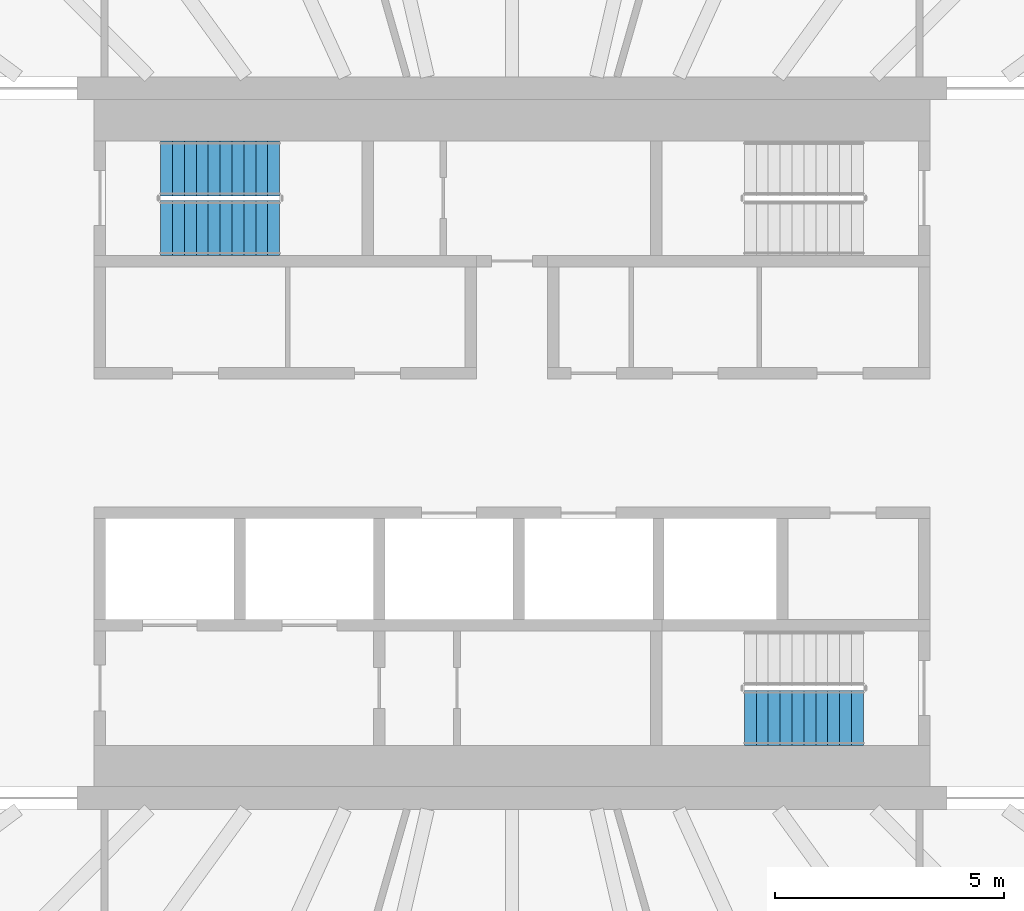
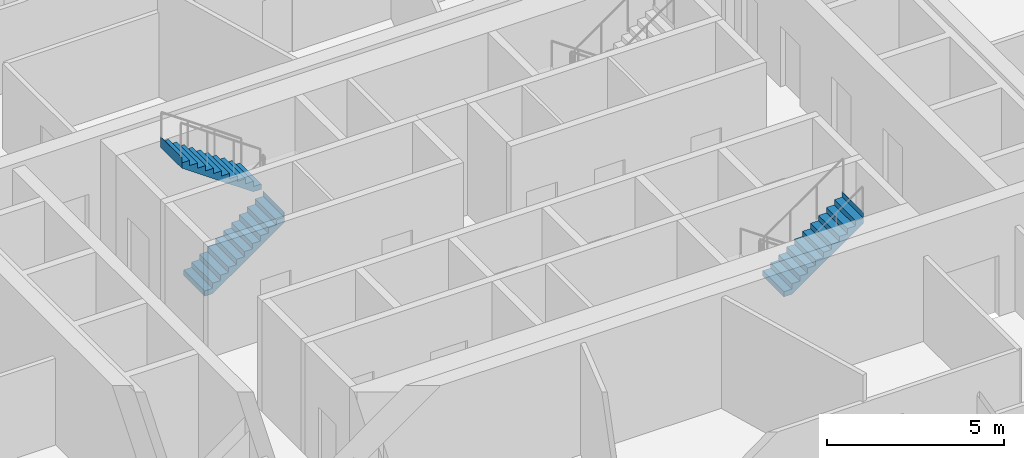
# One storey, part 16 of 23: 3 stair flights, 2 elements without a shape of their own.
"""IFC4 building model written with IfcOpenShell, lengths in metres."""

from ifc_helpers import new_model, si_unit, direction, frame, origin, place, context, subcontext, project, spatial, triangles, material, type_object, element, aggregate, save


model = new_model("IFC4")

# Units and contexts
model_context = context("Model", 3, precision=1e-05, world=origin(), true_north=direction((0.0, 1.0)))
body_context = subcontext(model_context, "Body", "Model", "MODEL_VIEW")
ifc_project = project(units=[si_unit("LENGTHUNIT", "METRE"), si_unit("AREAUNIT", "SQUARE_METRE"), si_unit("VOLUMEUNIT", "CUBIC_METRE"), si_unit("PLANEANGLEUNIT", "RADIAN"), si_unit("MASSUNIT", "GRAM", prefix="KILO")], contexts=[model_context])

# Site, building, storey
site_placement = place(None, origin())
site = spatial("IfcSite", under=ifc_project, at=site_placement, CompositionType="ELEMENT")
building_placement = place(site_placement, origin())
building = spatial("IfcBuilding", under=site, at=building_placement, Name="Sahrelin Media Tower", CompositionType="ELEMENT")
storey_placement = place(building_placement, frame((0.0, 0.0, 157.60009765625)))
storey = spatial("IfcBuildingStorey", under=building, at=storey_placement, Name="L32", CompositionType="ELEMENT", Elevation=157.60009765625)

# Stair, stair flights
ifc_material = material(Name="Concrete C40/50", Category="concrete")
stair_type = type_object("IfcStairType", Name="Exit stair 1200", PredefinedType="HALF_TURN_STAIR", material=ifc_material)
placement = place(storey_placement, origin())
stair_1 = element("IfcStair", 1, at=placement, inside=storey, type_object=stair_type, Name="L32 Exit stair ST1", PredefinedType="HALF_TURN_STAIR")
stair_flight_type = type_object("IfcStairFlightType", Name="Stair flight 1200", PredefinedType="STRAIGHT", material=ifc_material)
stair_flight_1_placement = place(storey_placement, frame((-7.675048828125, 4.699951171875, 0.0), z_axis=(0.0, 0.0, 1.0), x_axis=(1.0, 0.0, 0.0)))
stair_flight_1 = element("IfcStairFlight", 2, at=stair_flight_1_placement, type_object=stair_flight_type, Name="ST1 flight 1", NumberOfRisers=11, NumberOfTreads=10, PredefinedType="STRAIGHT", RiserHeight=0.181818182, TreadLength=0.26, context=body_context, shape_type="Tessellation", body=[
    triangles([(0.261474609375, 0.60009765625, 0.0), (0.261474609375, 0.300048828125, 0.0), (0.261474609375, 0.0, 0.0), (0.261474609375, -0.300048828125, 0.0), (0.261474609375, -0.60009765625, 0.0), (2.60009765625, 0.60009765625, 1.63525390625), (2.60009765625, 0.300048828125, 1.63525390625), (2.60009765625, 0.0, 1.63525390625), (2.60009765625, -0.300048828125, 1.63525390625), (2.60009765625, -0.60009765625, 1.63525390625), (2.60009765625, 0.60009765625, 2.0), (2.60009765625, 0.300048828125, 2.0), (2.60009765625, 0.0, 2.0), (2.60009765625, -0.300048828125, 2.0), (2.60009765625, -0.60009765625, 2.0), (2.597900390625, 0.60009765625, 2.0), (2.597900390625, 0.300048828125, 2.0), (2.597900390625, 0.0, 2.0), (2.597900390625, -0.300048828125, 2.0), (2.597900390625, -0.60009765625, 2.0), (2.597900390625, 0.60009765625, 1.818115234375), (2.597900390625, 0.300048828125, 1.818115234375), (2.597900390625, 0.0, 1.818115234375), (2.597900390625, -0.300048828125, 1.818115234375), (2.597900390625, -0.60009765625, 1.818115234375), (2.340087890625, 0.60009765625, 1.818115234375), (2.340087890625, 0.300048828125, 1.818115234375), (2.340087890625, 0.0, 1.818115234375), (2.340087890625, -0.300048828125, 1.818115234375), (2.340087890625, -0.60009765625, 1.818115234375), (2.340087890625, 0.60009765625, 1.636474609375), (2.340087890625, 0.300048828125, 1.636474609375), (2.340087890625, 0.0, 1.636474609375), (2.340087890625, -0.300048828125, 1.636474609375), (2.340087890625, -0.60009765625, 1.636474609375), (2.080078125, 0.60009765625, 1.636474609375), (2.080078125, 0.300048828125, 1.636474609375), (2.080078125, 0.0, 1.636474609375), (2.080078125, -0.300048828125, 1.636474609375), (2.080078125, -0.60009765625, 1.636474609375), (2.080078125, 0.60009765625, 1.45458984375), (2.080078125, 0.300048828125, 1.45458984375), (2.080078125, 0.0, 1.45458984375), (2.080078125, -0.300048828125, 1.45458984375), (2.080078125, -0.60009765625, 1.45458984375), (1.820068359375, 0.60009765625, 1.45458984375), (1.820068359375, 0.300048828125, 1.45458984375), (1.820068359375, 0.0, 1.45458984375), (1.820068359375, -0.300048828125, 1.45458984375), (1.820068359375, -0.60009765625, 1.45458984375), (1.820068359375, 0.60009765625, 1.272705078125), (1.820068359375, 0.300048828125, 1.272705078125), (1.820068359375, 0.0, 1.272705078125), (1.820068359375, -0.300048828125, 1.272705078125), (1.820068359375, -0.60009765625, 1.272705078125), (1.56005859375, 0.60009765625, 1.272705078125), (1.56005859375, 0.300048828125, 1.272705078125), (1.56005859375, 0.0, 1.272705078125), (1.56005859375, -0.300048828125, 1.272705078125), (1.56005859375, -0.60009765625, 1.272705078125), (1.56005859375, 0.60009765625, 1.0908203125), (1.56005859375, 0.300048828125, 1.0908203125), (1.56005859375, 0.0, 1.0908203125), (1.56005859375, -0.300048828125, 1.0908203125), (1.56005859375, -0.60009765625, 1.0908203125), (1.300048828125, 0.60009765625, 1.0908203125), (1.300048828125, 0.300048828125, 1.0908203125), (1.300048828125, 0.0, 1.0908203125), (1.300048828125, -0.300048828125, 1.0908203125), (1.300048828125, -0.60009765625, 1.0908203125), (1.300048828125, 0.60009765625, 0.9091796875), (1.300048828125, 0.300048828125, 0.9091796875), (1.300048828125, 0.0, 0.9091796875), (1.300048828125, -0.300048828125, 0.9091796875), (1.300048828125, -0.60009765625, 0.9091796875), (1.0400390625, 0.60009765625, 0.9091796875), (1.0400390625, 0.300048828125, 0.9091796875), (1.0400390625, 0.0, 0.9091796875), (1.0400390625, -0.300048828125, 0.9091796875), (1.0400390625, -0.60009765625, 0.9091796875), (1.0400390625, 0.60009765625, 0.727294921875), (1.0400390625, 0.300048828125, 0.727294921875), (1.0400390625, 0.0, 0.727294921875), (1.0400390625, -0.300048828125, 0.727294921875), (1.0400390625, -0.60009765625, 0.727294921875), (0.780029296875, 0.60009765625, 0.727294921875), (0.780029296875, 0.300048828125, 0.727294921875), (0.780029296875, 0.0, 0.727294921875), (0.780029296875, -0.300048828125, 0.727294921875), (0.780029296875, -0.60009765625, 0.727294921875), (0.780029296875, 0.60009765625, 0.54541015625), (0.780029296875, 0.300048828125, 0.54541015625), (0.780029296875, 0.0, 0.54541015625), (0.780029296875, -0.300048828125, 0.54541015625), (0.780029296875, -0.60009765625, 0.54541015625), (0.52001953125, 0.60009765625, 0.54541015625), (0.52001953125, 0.300048828125, 0.54541015625), (0.52001953125, 0.0, 0.54541015625), (0.52001953125, -0.300048828125, 0.54541015625), (0.52001953125, -0.60009765625, 0.54541015625), (0.52001953125, 0.60009765625, 0.363525390625), (0.52001953125, 0.300048828125, 0.363525390625), (0.52001953125, 0.0, 0.363525390625), (0.52001953125, -0.300048828125, 0.363525390625), (0.52001953125, -0.60009765625, 0.363525390625), (0.260009765625, 0.60009765625, 0.363525390625), (0.260009765625, 0.300048828125, 0.363525390625), (0.260009765625, 0.0, 0.363525390625), (0.260009765625, -0.300048828125, 0.363525390625), (0.260009765625, -0.60009765625, 0.363525390625), (0.260009765625, 0.60009765625, 0.181884765625), (0.260009765625, 0.300048828125, 0.181884765625), (0.260009765625, 0.0, 0.181884765625), (0.260009765625, -0.300048828125, 0.181884765625), (0.260009765625, -0.60009765625, 0.181884765625), (0.0, 0.60009765625, 0.181884765625), (0.0, 0.300048828125, 0.181884765625), (0.0, 0.0, 0.181884765625), (0.0, -0.300048828125, 0.181884765625), (0.0, -0.60009765625, 0.181884765625), (0.0, 0.60009765625, 0.0), (0.0, 0.300048828125, 0.0), (0.0, 0.0, 0.0), (0.0, -0.300048828125, 0.0), (0.0, -0.60009765625, 0.0)], [[1, 6, 7], [1, 7, 2], [2, 7, 8], [2, 8, 3], [3, 8, 9], [3, 9, 4], [4, 9, 10], [4, 10, 5], [6, 11, 12], [6, 12, 7], [7, 12, 13], [7, 13, 8], [8, 13, 14], [8, 14, 9], [9, 14, 15], [9, 15, 10], [11, 16, 17], [11, 17, 12], [12, 17, 18], [12, 18, 13], [13, 18, 19], [13, 19, 14], [14, 19, 20], [14, 20, 15], [16, 21, 22], [16, 22, 17], [17, 22, 23], [17, 23, 18], [18, 23, 24], [18, 24, 19], [19, 24, 25], [19, 25, 20], [21, 26, 27], [21, 27, 22], [22, 27, 28], [22, 28, 23], [23, 28, 29], [23, 29, 24], [24, 29, 30], [24, 30, 25], [26, 31, 32], [26, 32, 27], [27, 32, 33], [27, 33, 28], [28, 33, 34], [28, 34, 29], [29, 34, 35], [29, 35, 30], [31, 36, 37], [31, 37, 32], [32, 37, 38], [32, 38, 33], [33, 38, 39], [33, 39, 34], [34, 39, 40], [34, 40, 35], [36, 41, 42], [36, 42, 37], [37, 42, 43], [37, 43, 38], [38, 43, 44], [38, 44, 39], [39, 44, 45], [39, 45, 40], [41, 46, 47], [41, 47, 42], [42, 47, 48], [42, 48, 43], [43, 48, 49], [43, 49, 44], [44, 49, 50], [44, 50, 45], [46, 51, 52], [46, 52, 47], [47, 52, 53], [47, 53, 48], [48, 53, 54], [48, 54, 49], [49, 54, 55], [49, 55, 50], [51, 56, 57], [51, 57, 52], [52, 57, 58], [52, 58, 53], [53, 58, 59], [53, 59, 54], [54, 59, 60], [54, 60, 55], [56, 61, 62], [56, 62, 57], [57, 62, 63], [57, 63, 58], [58, 63, 64], [58, 64, 59], [59, 64, 65], [59, 65, 60], [61, 66, 67], [61, 67, 62], [62, 67, 68], [62, 68, 63], [63, 68, 69], [63, 69, 64], [64, 69, 70], [64, 70, 65], [66, 71, 72], [66, 72, 67], [67, 72, 73], [67, 73, 68], [68, 73, 74], [68, 74, 69], [69, 74, 75], [69, 75, 70], [71, 76, 77], [71, 77, 72], [72, 77, 78], [72, 78, 73], [73, 78, 79], [73, 79, 74], [74, 79, 80], [74, 80, 75], [76, 81, 82], [76, 82, 77], [77, 82, 83], [77, 83, 78], [78, 83, 84], [78, 84, 79], [79, 84, 85], [79, 85, 80], [81, 86, 87], [81, 87, 82], [82, 87, 88], [82, 88, 83], [83, 88, 89], [83, 89, 84], [84, 89, 90], [84, 90, 85], [86, 91, 92], [86, 92, 87], [87, 92, 93], [87, 93, 88], [88, 93, 94], [88, 94, 89], [89, 94, 95], [89, 95, 90], [91, 96, 97], [91, 97, 92], [92, 97, 98], [92, 98, 93], [93, 98, 99], [93, 99, 94], [94, 99, 100], [94, 100, 95], [96, 101, 102], [96, 102, 97], [97, 102, 103], [97, 103, 98], [98, 103, 104], [98, 104, 99], [99, 104, 105], [99, 105, 100], [101, 106, 107], [101, 107, 102], [102, 107, 108], [102, 108, 103], [103, 108, 109], [103, 109, 104], [104, 109, 110], [104, 110, 105], [106, 111, 112], [106, 112, 107], [107, 112, 113], [107, 113, 108], [108, 113, 114], [108, 114, 109], [109, 114, 115], [109, 115, 110], [111, 116, 117], [111, 117, 112], [112, 117, 118], [112, 118, 113], [113, 118, 119], [113, 119, 114], [114, 119, 120], [114, 120, 115], [116, 121, 122], [116, 122, 117], [117, 122, 123], [117, 123, 118], [118, 123, 124], [118, 124, 119], [119, 124, 125], [119, 125, 120], [121, 1, 2], [121, 2, 122], [122, 2, 3], [122, 3, 123], [123, 3, 4], [123, 4, 124], [124, 4, 5], [124, 5, 125], [115, 120, 125], [111, 121, 116], [115, 105, 110], [111, 106, 101], [105, 95, 100], [101, 96, 91], [95, 85, 90], [91, 86, 81], [85, 75, 80], [81, 76, 71], [75, 65, 70], [71, 66, 61], [65, 55, 60], [61, 56, 51], [55, 45, 50], [51, 46, 41], [45, 35, 40], [41, 36, 31], [35, 25, 30], [31, 26, 21], [25, 15, 20], [21, 16, 11], [125, 5, 115], [121, 111, 1], [25, 10, 15], [21, 11, 6], [105, 115, 5], [101, 1, 111], [35, 10, 25], [31, 21, 6], [95, 105, 5], [91, 1, 101], [45, 10, 35], [41, 31, 6], [85, 95, 5], [81, 1, 91], [55, 10, 45], [51, 41, 6], [75, 85, 5], [71, 1, 81], [65, 10, 55], [61, 51, 6], [5, 10, 75], [1, 71, 6], [75, 10, 65], [71, 61, 6]], closed=True),
])
stair_flight_2_placement = place(storey_placement, frame((-5.074951171875, 6.0, 2.0), z_axis=(0.0, 0.0, 1.0), x_axis=(-1.0, 0.0, 0.0)))
stair_flight_2 = element("IfcStairFlight", 3, at=stair_flight_2_placement, type_object=stair_flight_type, Name="ST1 flight 2", NumberOfRisers=11, NumberOfTreads=10, PredefinedType="STRAIGHT", RiserHeight=0.181818182, TreadLength=0.26, context=body_context, shape_type="Tessellation", body=[
    triangles([(0.261474609375, 0.60009765625, 0.0), (0.261474609375, 0.300048828125, 0.0), (0.261474609375, 0.0, 0.0), (0.261474609375, -0.300048828125, 0.0), (0.261474609375, -0.60009765625, 0.0), (2.60009765625, 0.60009765625, 1.63525390625), (2.60009765625, 0.300048828125, 1.63525390625), (2.60009765625, 0.0, 1.63525390625), (2.60009765625, -0.300048828125, 1.63525390625), (2.60009765625, -0.60009765625, 1.63525390625), (2.60009765625, 0.60009765625, 2.0), (2.60009765625, 0.300048828125, 2.0), (2.60009765625, 0.0, 2.0), (2.60009765625, -0.300048828125, 2.0), (2.60009765625, -0.60009765625, 2.0), (2.597900390625, 0.60009765625, 2.0), (2.597900390625, 0.300048828125, 2.0), (2.597900390625, 0.0, 2.0), (2.597900390625, -0.300048828125, 2.0), (2.597900390625, -0.60009765625, 2.0), (2.597900390625, 0.60009765625, 1.818115234375), (2.597900390625, 0.300048828125, 1.818115234375), (2.597900390625, 0.0, 1.818115234375), (2.597900390625, -0.300048828125, 1.818115234375), (2.597900390625, -0.60009765625, 1.818115234375), (2.340087890625, 0.60009765625, 1.818115234375), (2.340087890625, 0.300048828125, 1.818115234375), (2.340087890625, 0.0, 1.818115234375), (2.340087890625, -0.300048828125, 1.818115234375), (2.340087890625, -0.60009765625, 1.818115234375), (2.340087890625, 0.60009765625, 1.636474609375), (2.340087890625, 0.300048828125, 1.636474609375), (2.340087890625, 0.0, 1.636474609375), (2.340087890625, -0.300048828125, 1.636474609375), (2.340087890625, -0.60009765625, 1.636474609375), (2.080078125, 0.60009765625, 1.636474609375), (2.080078125, 0.300048828125, 1.636474609375), (2.080078125, 0.0, 1.636474609375), (2.080078125, -0.300048828125, 1.636474609375), (2.080078125, -0.60009765625, 1.636474609375), (2.080078125, 0.60009765625, 1.45458984375), (2.080078125, 0.300048828125, 1.45458984375), (2.080078125, 0.0, 1.45458984375), (2.080078125, -0.300048828125, 1.45458984375), (2.080078125, -0.60009765625, 1.45458984375), (1.820068359375, 0.60009765625, 1.45458984375), (1.820068359375, 0.300048828125, 1.45458984375), (1.820068359375, 0.0, 1.45458984375), (1.820068359375, -0.300048828125, 1.45458984375), (1.820068359375, -0.60009765625, 1.45458984375), (1.820068359375, 0.60009765625, 1.272705078125), (1.820068359375, 0.300048828125, 1.272705078125), (1.820068359375, 0.0, 1.272705078125), (1.820068359375, -0.300048828125, 1.272705078125), (1.820068359375, -0.60009765625, 1.272705078125), (1.56005859375, 0.60009765625, 1.272705078125), (1.56005859375, 0.300048828125, 1.272705078125), (1.56005859375, 0.0, 1.272705078125), (1.56005859375, -0.300048828125, 1.272705078125), (1.56005859375, -0.60009765625, 1.272705078125), (1.56005859375, 0.60009765625, 1.0908203125), (1.56005859375, 0.300048828125, 1.0908203125), (1.56005859375, 0.0, 1.0908203125), (1.56005859375, -0.300048828125, 1.0908203125), (1.56005859375, -0.60009765625, 1.0908203125), (1.300048828125, 0.60009765625, 1.0908203125), (1.300048828125, 0.300048828125, 1.0908203125), (1.300048828125, 0.0, 1.0908203125), (1.300048828125, -0.300048828125, 1.0908203125), (1.300048828125, -0.60009765625, 1.0908203125), (1.300048828125, 0.60009765625, 0.9091796875), (1.300048828125, 0.300048828125, 0.9091796875), (1.300048828125, 0.0, 0.9091796875), (1.300048828125, -0.300048828125, 0.9091796875), (1.300048828125, -0.60009765625, 0.9091796875), (1.0400390625, 0.60009765625, 0.9091796875), (1.0400390625, 0.300048828125, 0.9091796875), (1.0400390625, 0.0, 0.9091796875), (1.0400390625, -0.300048828125, 0.9091796875), (1.0400390625, -0.60009765625, 0.9091796875), (1.0400390625, 0.60009765625, 0.727294921875), (1.0400390625, 0.300048828125, 0.727294921875), (1.0400390625, 0.0, 0.727294921875), (1.0400390625, -0.300048828125, 0.727294921875), (1.0400390625, -0.60009765625, 0.727294921875), (0.780029296875, 0.60009765625, 0.727294921875), (0.780029296875, 0.300048828125, 0.727294921875), (0.780029296875, 0.0, 0.727294921875), (0.780029296875, -0.300048828125, 0.727294921875), (0.780029296875, -0.60009765625, 0.727294921875), (0.780029296875, 0.60009765625, 0.54541015625), (0.780029296875, 0.300048828125, 0.54541015625), (0.780029296875, 0.0, 0.54541015625), (0.780029296875, -0.300048828125, 0.54541015625), (0.780029296875, -0.60009765625, 0.54541015625), (0.52001953125, 0.60009765625, 0.54541015625), (0.52001953125, 0.300048828125, 0.54541015625), (0.52001953125, 0.0, 0.54541015625), (0.52001953125, -0.300048828125, 0.54541015625), (0.52001953125, -0.60009765625, 0.54541015625), (0.52001953125, 0.60009765625, 0.363525390625), (0.52001953125, 0.300048828125, 0.363525390625), (0.52001953125, 0.0, 0.363525390625), (0.52001953125, -0.300048828125, 0.363525390625), (0.52001953125, -0.60009765625, 0.363525390625), (0.260009765625, 0.60009765625, 0.363525390625), (0.260009765625, 0.300048828125, 0.363525390625), (0.260009765625, 0.0, 0.363525390625), (0.260009765625, -0.300048828125, 0.363525390625), (0.260009765625, -0.60009765625, 0.363525390625), (0.260009765625, 0.60009765625, 0.181884765625), (0.260009765625, 0.300048828125, 0.181884765625), (0.260009765625, 0.0, 0.181884765625), (0.260009765625, -0.300048828125, 0.181884765625), (0.260009765625, -0.60009765625, 0.181884765625), (0.0, 0.60009765625, 0.181884765625), (0.0, 0.300048828125, 0.181884765625), (0.0, 0.0, 0.181884765625), (0.0, -0.300048828125, 0.181884765625), (0.0, -0.60009765625, 0.181884765625), (0.0, 0.60009765625, 0.0), (0.0, 0.300048828125, 0.0), (0.0, 0.0, 0.0), (0.0, -0.300048828125, 0.0), (0.0, -0.60009765625, 0.0)], [[1, 6, 7], [1, 7, 2], [2, 7, 8], [2, 8, 3], [3, 8, 9], [3, 9, 4], [4, 9, 10], [4, 10, 5], [6, 11, 12], [6, 12, 7], [7, 12, 13], [7, 13, 8], [8, 13, 14], [8, 14, 9], [9, 14, 15], [9, 15, 10], [11, 16, 17], [11, 17, 12], [12, 17, 18], [12, 18, 13], [13, 18, 19], [13, 19, 14], [14, 19, 20], [14, 20, 15], [16, 21, 22], [16, 22, 17], [17, 22, 23], [17, 23, 18], [18, 23, 24], [18, 24, 19], [19, 24, 25], [19, 25, 20], [21, 26, 27], [21, 27, 22], [22, 27, 28], [22, 28, 23], [23, 28, 29], [23, 29, 24], [24, 29, 30], [24, 30, 25], [26, 31, 32], [26, 32, 27], [27, 32, 33], [27, 33, 28], [28, 33, 34], [28, 34, 29], [29, 34, 35], [29, 35, 30], [31, 36, 37], [31, 37, 32], [32, 37, 38], [32, 38, 33], [33, 38, 39], [33, 39, 34], [34, 39, 40], [34, 40, 35], [36, 41, 42], [36, 42, 37], [37, 42, 43], [37, 43, 38], [38, 43, 44], [38, 44, 39], [39, 44, 45], [39, 45, 40], [41, 46, 47], [41, 47, 42], [42, 47, 48], [42, 48, 43], [43, 48, 49], [43, 49, 44], [44, 49, 50], [44, 50, 45], [46, 51, 52], [46, 52, 47], [47, 52, 53], [47, 53, 48], [48, 53, 54], [48, 54, 49], [49, 54, 55], [49, 55, 50], [51, 56, 57], [51, 57, 52], [52, 57, 58], [52, 58, 53], [53, 58, 59], [53, 59, 54], [54, 59, 60], [54, 60, 55], [56, 61, 62], [56, 62, 57], [57, 62, 63], [57, 63, 58], [58, 63, 64], [58, 64, 59], [59, 64, 65], [59, 65, 60], [61, 66, 67], [61, 67, 62], [62, 67, 68], [62, 68, 63], [63, 68, 69], [63, 69, 64], [64, 69, 70], [64, 70, 65], [66, 71, 72], [66, 72, 67], [67, 72, 73], [67, 73, 68], [68, 73, 74], [68, 74, 69], [69, 74, 75], [69, 75, 70], [71, 76, 77], [71, 77, 72], [72, 77, 78], [72, 78, 73], [73, 78, 79], [73, 79, 74], [74, 79, 80], [74, 80, 75], [76, 81, 82], [76, 82, 77], [77, 82, 83], [77, 83, 78], [78, 83, 84], [78, 84, 79], [79, 84, 85], [79, 85, 80], [81, 86, 87], [81, 87, 82], [82, 87, 88], [82, 88, 83], [83, 88, 89], [83, 89, 84], [84, 89, 90], [84, 90, 85], [86, 91, 92], [86, 92, 87], [87, 92, 93], [87, 93, 88], [88, 93, 94], [88, 94, 89], [89, 94, 95], [89, 95, 90], [91, 96, 97], [91, 97, 92], [92, 97, 98], [92, 98, 93], [93, 98, 99], [93, 99, 94], [94, 99, 100], [94, 100, 95], [96, 101, 102], [96, 102, 97], [97, 102, 103], [97, 103, 98], [98, 103, 104], [98, 104, 99], [99, 104, 105], [99, 105, 100], [101, 106, 107], [101, 107, 102], [102, 107, 108], [102, 108, 103], [103, 108, 109], [103, 109, 104], [104, 109, 110], [104, 110, 105], [106, 111, 112], [106, 112, 107], [107, 112, 113], [107, 113, 108], [108, 113, 114], [108, 114, 109], [109, 114, 115], [109, 115, 110], [111, 116, 117], [111, 117, 112], [112, 117, 118], [112, 118, 113], [113, 118, 119], [113, 119, 114], [114, 119, 120], [114, 120, 115], [116, 121, 122], [116, 122, 117], [117, 122, 123], [117, 123, 118], [118, 123, 124], [118, 124, 119], [119, 124, 125], [119, 125, 120], [121, 1, 2], [121, 2, 122], [122, 2, 3], [122, 3, 123], [123, 3, 4], [123, 4, 124], [124, 4, 5], [124, 5, 125], [115, 120, 125], [111, 121, 116], [115, 105, 110], [111, 106, 101], [105, 95, 100], [101, 96, 91], [95, 85, 90], [91, 86, 81], [85, 75, 80], [81, 76, 71], [75, 65, 70], [71, 66, 61], [65, 55, 60], [61, 56, 51], [55, 45, 50], [51, 46, 41], [45, 35, 40], [41, 36, 31], [35, 25, 30], [31, 26, 21], [25, 15, 20], [21, 16, 11], [125, 5, 115], [121, 111, 1], [25, 10, 15], [21, 11, 6], [105, 115, 5], [101, 1, 111], [35, 10, 25], [31, 21, 6], [95, 105, 5], [91, 1, 101], [45, 10, 35], [41, 31, 6], [85, 95, 5], [81, 1, 91], [55, 10, 45], [51, 41, 6], [75, 85, 5], [71, 1, 81], [65, 10, 55], [61, 51, 6], [5, 10, 75], [1, 71, 6], [75, 10, 65], [71, 61, 6]], closed=True),
])
aggregate(stair_1, [stair_flight_1, stair_flight_2])

# Stair, stair flight
stair_2 = element("IfcStair", 4, at=placement, inside=storey, type_object=stair_type, Name="L32 Exit stair ST2", PredefinedType="HALF_TURN_STAIR")
stair_flight_3_placement = place(storey_placement, frame((5.074951171875, -6.0, 2.0), z_axis=(0.0, 0.0, 1.0), x_axis=(1.0, 0.0, 0.0)))
stair_flight_3 = element("IfcStairFlight", 5, at=stair_flight_3_placement, type_object=stair_flight_type, Name="ST2 flight 2", NumberOfRisers=11, NumberOfTreads=10, PredefinedType="STRAIGHT", RiserHeight=0.181818182, TreadLength=0.26, context=body_context, shape_type="Tessellation", body=[
    triangles([(0.261474609375, 0.60009765625, 0.0), (0.261474609375, 0.300048828125, 0.0), (0.261474609375, 0.0, 0.0), (0.261474609375, -0.300048828125, 0.0), (0.261474609375, -0.60009765625, 0.0), (2.60009765625, 0.60009765625, 1.63525390625), (2.60009765625, 0.300048828125, 1.63525390625), (2.60009765625, 0.0, 1.63525390625), (2.60009765625, -0.300048828125, 1.63525390625), (2.60009765625, -0.60009765625, 1.63525390625), (2.60009765625, 0.60009765625, 2.0), (2.60009765625, 0.300048828125, 2.0), (2.60009765625, 0.0, 2.0), (2.60009765625, -0.300048828125, 2.0), (2.60009765625, -0.60009765625, 2.0), (2.597900390625, 0.60009765625, 2.0), (2.597900390625, 0.300048828125, 2.0), (2.597900390625, 0.0, 2.0), (2.597900390625, -0.300048828125, 2.0), (2.597900390625, -0.60009765625, 2.0), (2.597900390625, 0.60009765625, 1.818115234375), (2.597900390625, 0.300048828125, 1.818115234375), (2.597900390625, 0.0, 1.818115234375), (2.597900390625, -0.300048828125, 1.818115234375), (2.597900390625, -0.60009765625, 1.818115234375), (2.340087890625, 0.60009765625, 1.818115234375), (2.340087890625, 0.300048828125, 1.818115234375), (2.340087890625, 0.0, 1.818115234375), (2.340087890625, -0.300048828125, 1.818115234375), (2.340087890625, -0.60009765625, 1.818115234375), (2.340087890625, 0.60009765625, 1.636474609375), (2.340087890625, 0.300048828125, 1.636474609375), (2.340087890625, 0.0, 1.636474609375), (2.340087890625, -0.300048828125, 1.636474609375), (2.340087890625, -0.60009765625, 1.636474609375), (2.080078125, 0.60009765625, 1.636474609375), (2.080078125, 0.300048828125, 1.636474609375), (2.080078125, 0.0, 1.636474609375), (2.080078125, -0.300048828125, 1.636474609375), (2.080078125, -0.60009765625, 1.636474609375), (2.080078125, 0.60009765625, 1.45458984375), (2.080078125, 0.300048828125, 1.45458984375), (2.080078125, 0.0, 1.45458984375), (2.080078125, -0.300048828125, 1.45458984375), (2.080078125, -0.60009765625, 1.45458984375), (1.820068359375, 0.60009765625, 1.45458984375), (1.820068359375, 0.300048828125, 1.45458984375), (1.820068359375, 0.0, 1.45458984375), (1.820068359375, -0.300048828125, 1.45458984375), (1.820068359375, -0.60009765625, 1.45458984375), (1.820068359375, 0.60009765625, 1.272705078125), (1.820068359375, 0.300048828125, 1.272705078125), (1.820068359375, 0.0, 1.272705078125), (1.820068359375, -0.300048828125, 1.272705078125), (1.820068359375, -0.60009765625, 1.272705078125), (1.56005859375, 0.60009765625, 1.272705078125), (1.56005859375, 0.300048828125, 1.272705078125), (1.56005859375, 0.0, 1.272705078125), (1.56005859375, -0.300048828125, 1.272705078125), (1.56005859375, -0.60009765625, 1.272705078125), (1.56005859375, 0.60009765625, 1.0908203125), (1.56005859375, 0.300048828125, 1.0908203125), (1.56005859375, 0.0, 1.0908203125), (1.56005859375, -0.300048828125, 1.0908203125), (1.56005859375, -0.60009765625, 1.0908203125), (1.300048828125, 0.60009765625, 1.0908203125), (1.300048828125, 0.300048828125, 1.0908203125), (1.300048828125, 0.0, 1.0908203125), (1.300048828125, -0.300048828125, 1.0908203125), (1.300048828125, -0.60009765625, 1.0908203125), (1.300048828125, 0.60009765625, 0.9091796875), (1.300048828125, 0.300048828125, 0.9091796875), (1.300048828125, 0.0, 0.9091796875), (1.300048828125, -0.300048828125, 0.9091796875), (1.300048828125, -0.60009765625, 0.9091796875), (1.0400390625, 0.60009765625, 0.9091796875), (1.0400390625, 0.300048828125, 0.9091796875), (1.0400390625, 0.0, 0.9091796875), (1.0400390625, -0.300048828125, 0.9091796875), (1.0400390625, -0.60009765625, 0.9091796875), (1.0400390625, 0.60009765625, 0.727294921875), (1.0400390625, 0.300048828125, 0.727294921875), (1.0400390625, 0.0, 0.727294921875), (1.0400390625, -0.300048828125, 0.727294921875), (1.0400390625, -0.60009765625, 0.727294921875), (0.780029296875, 0.60009765625, 0.727294921875), (0.780029296875, 0.300048828125, 0.727294921875), (0.780029296875, 0.0, 0.727294921875), (0.780029296875, -0.300048828125, 0.727294921875), (0.780029296875, -0.60009765625, 0.727294921875), (0.780029296875, 0.60009765625, 0.54541015625), (0.780029296875, 0.300048828125, 0.54541015625), (0.780029296875, 0.0, 0.54541015625), (0.780029296875, -0.300048828125, 0.54541015625), (0.780029296875, -0.60009765625, 0.54541015625), (0.52001953125, 0.60009765625, 0.54541015625), (0.52001953125, 0.300048828125, 0.54541015625), (0.52001953125, 0.0, 0.54541015625), (0.52001953125, -0.300048828125, 0.54541015625), (0.52001953125, -0.60009765625, 0.54541015625), (0.52001953125, 0.60009765625, 0.363525390625), (0.52001953125, 0.300048828125, 0.363525390625), (0.52001953125, 0.0, 0.363525390625), (0.52001953125, -0.300048828125, 0.363525390625), (0.52001953125, -0.60009765625, 0.363525390625), (0.260009765625, 0.60009765625, 0.363525390625), (0.260009765625, 0.300048828125, 0.363525390625), (0.260009765625, 0.0, 0.363525390625), (0.260009765625, -0.300048828125, 0.363525390625), (0.260009765625, -0.60009765625, 0.363525390625), (0.260009765625, 0.60009765625, 0.181884765625), (0.260009765625, 0.300048828125, 0.181884765625), (0.260009765625, 0.0, 0.181884765625), (0.260009765625, -0.300048828125, 0.181884765625), (0.260009765625, -0.60009765625, 0.181884765625), (0.0, 0.60009765625, 0.181884765625), (0.0, 0.300048828125, 0.181884765625), (0.0, 0.0, 0.181884765625), (0.0, -0.300048828125, 0.181884765625), (0.0, -0.60009765625, 0.181884765625), (0.0, 0.60009765625, 0.0), (0.0, 0.300048828125, 0.0), (0.0, 0.0, 0.0), (0.0, -0.300048828125, 0.0), (0.0, -0.60009765625, 0.0)], [[1, 6, 7], [1, 7, 2], [2, 7, 8], [2, 8, 3], [3, 8, 9], [3, 9, 4], [4, 9, 10], [4, 10, 5], [6, 11, 12], [6, 12, 7], [7, 12, 13], [7, 13, 8], [8, 13, 14], [8, 14, 9], [9, 14, 15], [9, 15, 10], [11, 16, 17], [11, 17, 12], [12, 17, 18], [12, 18, 13], [13, 18, 19], [13, 19, 14], [14, 19, 20], [14, 20, 15], [16, 21, 22], [16, 22, 17], [17, 22, 23], [17, 23, 18], [18, 23, 24], [18, 24, 19], [19, 24, 25], [19, 25, 20], [21, 26, 27], [21, 27, 22], [22, 27, 28], [22, 28, 23], [23, 28, 29], [23, 29, 24], [24, 29, 30], [24, 30, 25], [26, 31, 32], [26, 32, 27], [27, 32, 33], [27, 33, 28], [28, 33, 34], [28, 34, 29], [29, 34, 35], [29, 35, 30], [31, 36, 37], [31, 37, 32], [32, 37, 38], [32, 38, 33], [33, 38, 39], [33, 39, 34], [34, 39, 40], [34, 40, 35], [36, 41, 42], [36, 42, 37], [37, 42, 43], [37, 43, 38], [38, 43, 44], [38, 44, 39], [39, 44, 45], [39, 45, 40], [41, 46, 47], [41, 47, 42], [42, 47, 48], [42, 48, 43], [43, 48, 49], [43, 49, 44], [44, 49, 50], [44, 50, 45], [46, 51, 52], [46, 52, 47], [47, 52, 53], [47, 53, 48], [48, 53, 54], [48, 54, 49], [49, 54, 55], [49, 55, 50], [51, 56, 57], [51, 57, 52], [52, 57, 58], [52, 58, 53], [53, 58, 59], [53, 59, 54], [54, 59, 60], [54, 60, 55], [56, 61, 62], [56, 62, 57], [57, 62, 63], [57, 63, 58], [58, 63, 64], [58, 64, 59], [59, 64, 65], [59, 65, 60], [61, 66, 67], [61, 67, 62], [62, 67, 68], [62, 68, 63], [63, 68, 69], [63, 69, 64], [64, 69, 70], [64, 70, 65], [66, 71, 72], [66, 72, 67], [67, 72, 73], [67, 73, 68], [68, 73, 74], [68, 74, 69], [69, 74, 75], [69, 75, 70], [71, 76, 77], [71, 77, 72], [72, 77, 78], [72, 78, 73], [73, 78, 79], [73, 79, 74], [74, 79, 80], [74, 80, 75], [76, 81, 82], [76, 82, 77], [77, 82, 83], [77, 83, 78], [78, 83, 84], [78, 84, 79], [79, 84, 85], [79, 85, 80], [81, 86, 87], [81, 87, 82], [82, 87, 88], [82, 88, 83], [83, 88, 89], [83, 89, 84], [84, 89, 90], [84, 90, 85], [86, 91, 92], [86, 92, 87], [87, 92, 93], [87, 93, 88], [88, 93, 94], [88, 94, 89], [89, 94, 95], [89, 95, 90], [91, 96, 97], [91, 97, 92], [92, 97, 98], [92, 98, 93], [93, 98, 99], [93, 99, 94], [94, 99, 100], [94, 100, 95], [96, 101, 102], [96, 102, 97], [97, 102, 103], [97, 103, 98], [98, 103, 104], [98, 104, 99], [99, 104, 105], [99, 105, 100], [101, 106, 107], [101, 107, 102], [102, 107, 108], [102, 108, 103], [103, 108, 109], [103, 109, 104], [104, 109, 110], [104, 110, 105], [106, 111, 112], [106, 112, 107], [107, 112, 113], [107, 113, 108], [108, 113, 114], [108, 114, 109], [109, 114, 115], [109, 115, 110], [111, 116, 117], [111, 117, 112], [112, 117, 118], [112, 118, 113], [113, 118, 119], [113, 119, 114], [114, 119, 120], [114, 120, 115], [116, 121, 122], [116, 122, 117], [117, 122, 123], [117, 123, 118], [118, 123, 124], [118, 124, 119], [119, 124, 125], [119, 125, 120], [121, 1, 2], [121, 2, 122], [122, 2, 3], [122, 3, 123], [123, 3, 4], [123, 4, 124], [124, 4, 5], [124, 5, 125], [115, 120, 125], [111, 121, 116], [115, 105, 110], [111, 106, 101], [105, 95, 100], [101, 96, 91], [95, 85, 90], [91, 86, 81], [85, 75, 80], [81, 76, 71], [75, 65, 70], [71, 66, 61], [65, 55, 60], [61, 56, 51], [55, 45, 50], [51, 46, 41], [45, 35, 40], [41, 36, 31], [35, 25, 30], [31, 26, 21], [25, 15, 20], [21, 16, 11], [125, 5, 115], [121, 111, 1], [25, 10, 15], [21, 11, 6], [105, 115, 5], [101, 1, 111], [35, 10, 25], [31, 21, 6], [95, 105, 5], [91, 1, 101], [45, 10, 35], [41, 31, 6], [85, 95, 5], [81, 1, 91], [55, 10, 45], [51, 41, 6], [75, 85, 5], [71, 1, 81], [65, 10, 55], [61, 51, 6], [5, 10, 75], [1, 71, 6], [75, 10, 65], [71, 61, 6]], closed=True),
])
aggregate(stair_2, [stair_flight_3])

save(model, "model.ifc")
